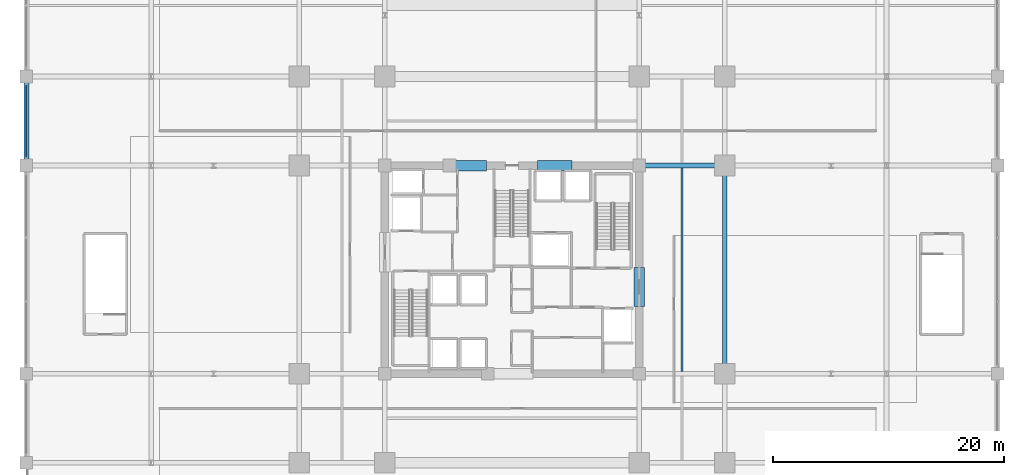
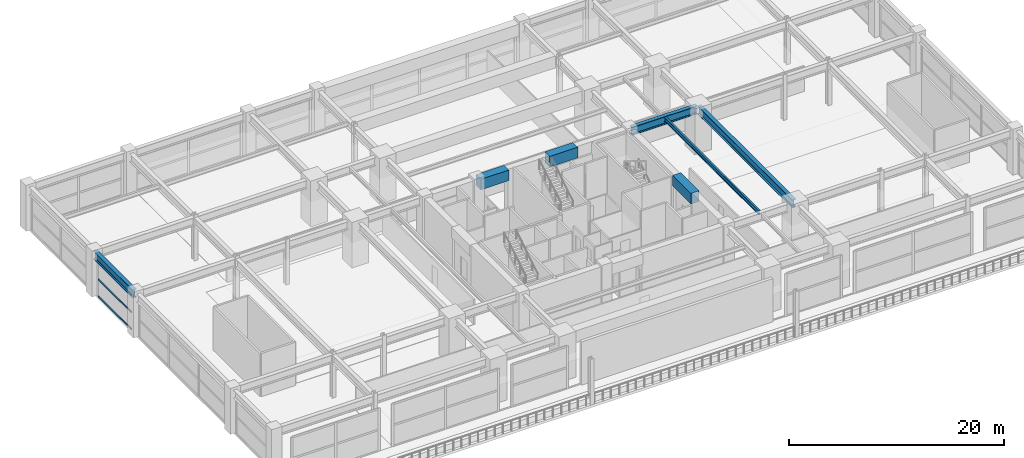
# One storey, part 10 of 35: 7 beams, 3 members, 1 element without a shape of its own.
"""IFC4 building model written with IfcOpenShell, lengths in metres."""

import ifcopenshell
import ifcopenshell.guid

model = None  # the IFC model being written
_history = None  # IfcOwnerHistory: only IFC2X3 demands one
_inside = {}  # id of a spatial element -> (the spatial element, [elements in it])
_under = {}  # id of a project, library or spatial element -> (it, [spatial elements below it])
_declared = {}  # id of a project -> (the project, [libraries it declares])
_typed = {}  # id of a type object -> (the type object, [elements of that type])
_made_of = {}  # id of a material, layer set ... -> (it, [elements and type objects made of it])


def new_model(schema):
    """Start an empty IFC model of exactly this schema.

    Asked for "IFC4X3", IfcOpenShell would pick the latest addendum, in which some entities
    have other attributes; the version numbers below select the first issue.
    IFC2X3 requires an IfcOwnerHistory on every rooted entity: one is made here for all.
    """
    global model, _history
    if schema == "IFC4X3":
        model = ifcopenshell.file(schema_version=(4, 3, 0, 0))
    else:
        model = ifcopenshell.file(schema=schema)
    _inside.clear()
    _under.clear()
    _declared.clear()
    _typed.clear()
    _made_of.clear()
    _history = None
    if model.schema == "IFC2X3":
        org = make("IfcOrganization", Name="unknown")
        user = make(
            "IfcPersonAndOrganization",
            ThePerson=make("IfcPerson", FamilyName="unknown"),
            TheOrganization=org,
        )
        app = make(
            "IfcApplication",
            ApplicationDeveloper=org,
            Version="unknown",
            ApplicationFullName="unknown",
            ApplicationIdentifier="unknown",
        )
        _history = make(
            "IfcOwnerHistory",
            OwningUser=user,
            OwningApplication=app,
            ChangeAction="ADDED",
            CreationDate=0,
        )
    return model


def make(cls, **values):
    """One entity of the class cls with the attributes given. An attribute that is None is left unset."""
    return model.create_entity(
        cls, **{name: value for name, value in values.items() if value is not None}
    )


def rooted(cls, **values):
    """An entity with a GlobalId (a new one), such as an element, a storey or a relation."""
    return make(cls, GlobalId=ifcopenshell.guid.new(), OwnerHistory=_history, **values)


def si_unit(unit_type, name, prefix=None):
    """IfcSIUnit, for example si_unit("LENGTHUNIT", "METRE", prefix="MILLI")."""
    return make("IfcSIUnit", UnitType=unit_type, Prefix=prefix, Name=name)


def assignment(units):
    """IfcUnitAssignment: the units of a project."""
    return None if units is None else make("IfcUnitAssignment", Units=units)


def point(xyz):
    """IfcCartesianPoint."""
    return None if xyz is None else make("IfcCartesianPoint", Coordinates=xyz)


def direction(xyz):
    """IfcDirection."""
    return None if xyz is None else make("IfcDirection", DirectionRatios=xyz)


def frame(location, z_axis=None, x_axis=None):
    """IfcAxis2Placement3D, a coordinate frame: its origin and axes. An axis left out is left unset."""
    return make(
        "IfcAxis2Placement3D",
        Location=point(location),
        Axis=direction(z_axis),
        RefDirection=direction(x_axis),
    )


def frame_2d(location, x_axis=None):
    """IfcAxis2Placement2D, a coordinate frame in the plane: its origin and x axis."""
    return make(
        "IfcAxis2Placement2D", Location=point(location), RefDirection=direction(x_axis)
    )


def origin():
    """The frame at (0, 0, 0) with its axes left unset."""
    return frame((0.0, 0.0, 0.0))


def origin_2d():
    """The frame at (0, 0) in the plane with its x axis left unset."""
    return frame_2d((0.0, 0.0))


def place(relative_to, where):
    """IfcLocalPlacement: puts the frame where relative to a parent placement (None: the world)."""
    return make(
        "IfcLocalPlacement", PlacementRelTo=relative_to, RelativePlacement=where
    )


def context(
    kind, dimensions, precision=None, world=None, true_north=None, identifier=None
):
    """IfcGeometricRepresentationContext, for example the 3D "Model" context."""
    return make(
        "IfcGeometricRepresentationContext",
        ContextIdentifier=identifier,
        ContextType=kind,
        CoordinateSpaceDimension=dimensions,
        Precision=precision,
        WorldCoordinateSystem=world,
        TrueNorth=true_north,
    )


def subcontext(parent, identifier, kind, view, scale=None):
    """IfcGeometricRepresentationSubContext, for example "Body" below "Model"."""
    return make(
        "IfcGeometricRepresentationSubContext",
        ContextIdentifier=identifier,
        ContextType=kind,
        ParentContext=parent,
        TargetScale=scale,
        TargetView=view,
    )


def project(units=None, contexts=None):
    """IfcProject with its units and contexts."""
    return rooted(
        "IfcProject",
        Name="project",
        RepresentationContexts=contexts,
        UnitsInContext=assignment(units),
    )


def spatial(cls, under=None, at=None, **own):
    """A site, building, storey or space (cls), placed at a placement, below another one or the project."""
    s = rooted(cls, ObjectPlacement=at, **own)
    if under is not None:
        _under.setdefault(under.id(), (under, []))[1].append(s)
    return s


def profile(cls, at=None, kind="AREA", **sizes):
    """A parametric profile (cls). Its sizes go by their IFC names, for example OverallWidth=200.0."""
    return make(cls, ProfileType=kind, Position=at, **sizes)


def rectangle(**sizes):
    """IfcRectangleProfileDef."""
    return profile("IfcRectangleProfileDef", **sizes)


def hollow_rectangle(**sizes):
    """IfcRectangleHollowProfileDef."""
    return profile("IfcRectangleHollowProfileDef", **sizes)


def i_section(**sizes):
    """IfcIShapeProfileDef."""
    return profile("IfcIShapeProfileDef", **sizes)


def extrude(swept, where, along, depth):
    """IfcExtrudedAreaSolid: the profile swept, set in the frame where, extruded along a direction by depth."""
    return make(
        "IfcExtrudedAreaSolid",
        SweptArea=swept,
        Position=where,
        ExtrudedDirection=direction(along),
        Depth=depth,
    )


def shape(context_of_items, identifier, shape_type, items):
    """IfcShapeRepresentation: the items that make up one representation, for example the "Body"."""
    return make(
        "IfcShapeRepresentation",
        ContextOfItems=context_of_items,
        RepresentationIdentifier=identifier,
        RepresentationType=shape_type,
        Items=items,
    )


def material(Name=None, Category=None):
    """IfcMaterial."""
    return make("IfcMaterial", Name=Name, Category=Category)


def material_profile(
    of_material, cross_section, Name=None, Category=None, Priority=None
):
    """IfcMaterialProfile: a cross section and its material."""
    return make(
        "IfcMaterialProfile",
        Name=Name,
        Material=of_material,
        Profile=cross_section,
        Priority=Priority,
        Category=Category,
    )


def profile_set(profiles, Name=None, composite=None):
    """IfcMaterialProfileSet."""
    return make(
        "IfcMaterialProfileSet",
        Name=Name,
        MaterialProfiles=profiles,
        CompositeProfile=composite,
    )


def made_of(thing, what):
    """Note that an element or type object is made of a material, layer set ...; save() writes the relation."""
    if what is not None:
        _made_of.setdefault(what.id(), (what, []))[1].append(thing)
    return thing


def type_object(cls, material=None, **own):
    """A type object (cls), such as IfcWallType, which elements share."""
    return made_of(rooted(cls, **own), material)


def element(
    cls,
    number,
    at=None,
    inside=None,
    cuts=None,
    type_object=None,
    material=None,
    context=None,
    identifier="Body",
    shape_type=None,
    held_by="IfcProductDefinitionShape",
    body=None,
    shapes=None,
    **own,
):
    """One element of the class cls, such as IfcWall. Its Tag is "e" and its number.

    at: its placement. inside: the storey or other place that contains it. cuts: it is an
    opening in that element (IfcRelVoidsElement). A single representation is given by context,
    identifier, shape_type and body (its items); several are given by shapes. held_by: the class
    of the entity that holds the representations. save() writes the other relations.
    """
    e = rooted(cls, Tag="e%d" % number, ObjectPlacement=at, **own)
    if body is not None:
        shapes = [shape(context, identifier, shape_type, body)]
    if shapes is not None:
        e.Representation = make(held_by, Representations=shapes)
    if inside is not None:
        _inside.setdefault(inside.id(), (inside, []))[1].append(e)
    if cuts is not None:
        rooted(
            "IfcRelVoidsElement", RelatingBuildingElement=cuts, RelatedOpeningElement=e
        )
    if type_object is not None:
        _typed.setdefault(type_object.id(), (type_object, []))[1].append(e)
    return made_of(e, material)


def aggregate(whole, parts):
    """IfcRelAggregates: a whole, such as a stair, and the parts it consists of."""
    return rooted("IfcRelAggregates", RelatingObject=whole, RelatedObjects=parts)


def save(model, path):
    """Write the relations noted so far, then the file.

    IfcRelAggregates (storeys below a building ...), IfcRelContainedInSpatialStructure (elements
    in a storey), IfcRelDefinesByType, IfcRelAssociatesMaterial and IfcRelDeclares: one each for
    every whole, place, type object, material and project.
    """
    for whole, parts in _under.values():
        aggregate(whole, parts)
    for where, things in _inside.values():
        rooted(
            "IfcRelContainedInSpatialStructure",
            RelatedElements=things,
            RelatingStructure=where,
        )
    for kind, things in _typed.values():
        rooted("IfcRelDefinesByType", RelatedObjects=things, RelatingType=kind)
    for what, things in _made_of.values():
        rooted("IfcRelAssociatesMaterial", RelatedObjects=things, RelatingMaterial=what)
    for by, libraries in _declared.values():
        rooted("IfcRelDeclares", RelatingContext=by, RelatedDefinitions=libraries)
    model.write(path)


model = new_model("IFC4")

# Units and contexts
model_context = context("Model", 3, precision=1e-05, world=origin(), true_north=direction((0.0, 1.0)))
body_context = subcontext(model_context, "Body", "Model", "MODEL_VIEW")
ifc_project = project(units=[si_unit("LENGTHUNIT", "METRE"), si_unit("AREAUNIT", "SQUARE_METRE"), si_unit("VOLUMEUNIT", "CUBIC_METRE"), si_unit("PLANEANGLEUNIT", "RADIAN"), si_unit("MASSUNIT", "GRAM", prefix="KILO")], contexts=[model_context])

# Site, building, storey
site_placement = place(None, origin())
site = spatial("IfcSite", under=ifc_project, at=site_placement, CompositionType="ELEMENT")
building_placement = place(site_placement, origin())
building = spatial("IfcBuilding", under=site, at=building_placement, Name="Kovane Verandah Tower", CompositionType="ELEMENT")
storey_placement = place(building_placement, frame((0.0, 0.0, 16.39990234375)))
storey = spatial("IfcBuildingStorey", under=building, at=storey_placement, Name="L03", CompositionType="ELEMENT", Elevation=16.39990234375)

# Beams
ifc_material_1 = material(Name="Concrete C80/95", Category="concrete")
ifc_material_profile_1 = material_profile(ifc_material_1, rectangle(XDim=0.89990234375, YDim=1.199951171875, at=origin_2d()), Name="RCB900x1200")
ifc_profile_set_1 = profile_set([ifc_material_profile_1], Name="Concrete C80/95")
beam_type_1 = type_object("IfcBeamType", Name="BM-LINTEL-900x1200", PredefinedType="LINTEL", material=ifc_profile_set_1)
for number, where, z_axis, x_axis, name in (
    (1, (34.800048828125, 36.5, 4.300048828125), (1.0, 0.0, 0.0), (0.0, 1.0, 0.0), "L03 Core Coupling Lintel CL-N1"),
    (2, (42.199951171875, 36.5, 4.300048828125), (1.0, 0.0, 0.0), (0.0, 1.0, 0.0), "L03 Core Coupling Lintel CL-N2"),
):
    element("IfcBeam", number, at=place(storey_placement, frame(where, z_axis=z_axis, x_axis=x_axis)), inside=storey, type_object=beam_type_1, Name=name, PredefinedType="LINTEL", context=body_context, shape_type="SweptSolid", body=[
        extrude(rectangle(XDim=0.89990234375, YDim=1.199951171875, at=origin_2d()), origin(), (0.0, 0.0, 1.0), 3.0),
    ])
beam_1_placement = place(storey_placement, frame((51.0, 24.300048828125, 4.300048828125), z_axis=(0.0, 1.0, 0.0), x_axis=(-1.0, 0.0, 0.0)))
element("IfcBeam", 3, at=beam_1_placement, inside=storey, type_object=beam_type_1, Name="L03 Core Coupling Lintel CL-E", PredefinedType="LINTEL", context=body_context, shape_type="SweptSolid", body=[
    extrude(rectangle(XDim=0.89990234375, YDim=1.199951171875, at=origin_2d()), origin(), (0.0, 0.0, 1.0), 3.39990234375),
])
ifc_material_2 = material(Name="Steel S460", Category="steel")
ifc_material_profile_2 = material_profile(ifc_material_2, i_section(OverallWidth=0.42041015625, OverallDepth=0.9208984375, WebThickness=0.021484375, FlangeThickness=0.03662109375, FilletRadius=0.024169921875, at=origin_2d()), Name="UB914x419x388")
ifc_profile_set_2 = profile_set([ifc_material_profile_2], Name="Steel S460")
beam_type_2 = type_object("IfcBeamType", Name="BM-UB914x388", PredefinedType="BEAM", material=ifc_profile_set_2)
beam_2_placement = place(storey_placement, frame((58.39990234375, 18.679931640625, 4.439697265625), z_axis=(0.0, 1.0, 0.0), x_axis=(-1.0, 0.0, 0.0)))
element("IfcBeam", 4, at=beam_2_placement, inside=storey, type_object=beam_type_2, Name="L03 Primary Tower Girder G-RE2", PredefinedType="BEAM", context=body_context, shape_type="SweptSolid", body=[
    extrude(i_section(OverallWidth=0.42041015625, OverallDepth=0.9208984375, WebThickness=0.021484375, FlangeThickness=0.03662109375, FilletRadius=0.024169921875, at=origin_2d()), origin(), (0.0, 0.0, 1.0), 17.64013671875),
])
beam_3_placement = place(storey_placement, frame((51.179931640625, 36.5, 4.439697265625), z_axis=(1.0, 0.0, 0.0), x_axis=(0.0, 1.0, 0.0)))
element("IfcBeam", 5, at=beam_3_placement, inside=storey, type_object=beam_type_2, Name="L03 Primary Tower Girder G-E2", PredefinedType="BEAM", context=body_context, shape_type="SweptSolid", body=[
    extrude(i_section(OverallWidth=0.42041015625, OverallDepth=0.9208984375, WebThickness=0.021484375, FlangeThickness=0.03662109375, FilletRadius=0.024169921875, at=origin_2d()), origin(), (0.0, 0.0, 1.0), 7.0400390625),
])
beam_4_placement = place(storey_placement, frame((-2.0, 36.679931640625, 4.439697265625), z_axis=(0.0, 1.0, 0.0), x_axis=(-1.0, 0.0, 0.0)))
element("IfcBeam", 6, at=beam_4_placement, inside=storey, type_object=beam_type_2, Name="L03 Podium Garden Transfer Girder Y26", PredefinedType="BEAM", context=body_context, shape_type="SweptSolid", body=[
    extrude(i_section(OverallWidth=0.42041015625, OverallDepth=0.9208984375, WebThickness=0.021484375, FlangeThickness=0.03662109375, FilletRadius=0.024169921875, at=origin_2d()), origin(), (0.0, 0.0, 1.0), 7.340087890625),
])

# Curtain wall, members
ifc_material_3 = material(Name="Champagne Anodised Aluminium Frame with Low-E Clear Laminated Glass", Category="aluminium")
curtain_wall_type = type_object("IfcCurtainWallType", Name="CW-SYS-01-POD", PredefinedType="NOTDEFINED", material=ifc_material_3)
curtain_wall_placement = place(storey_placement, origin())
curtain_wall = element("IfcCurtainWall", 7, at=curtain_wall_placement, inside=storey, type_object=curtain_wall_type, Name="L03 West Podium Curtain Wall Bay 4", PredefinedType="NOTDEFINED")
ifc_material_4 = material(Name="Champagne Anodised Aluminium 6063-T6", Category="aluminium")
ifc_material_profile_3 = material_profile(ifc_material_4, hollow_rectangle(XDim=0.0849609375, YDim=0.18994140625, WallThickness=0.00390625, at=origin_2d()), Name="AL85x190x4")
ifc_profile_set_3 = profile_set([ifc_material_profile_3], Name="Champagne Anodised Aluminium 6063-T6")
member_type = type_object("IfcMemberType", Name="CW-TRN-85x190", PredefinedType="USERDEFINED", material=ifc_profile_set_3)
member_1_placement = place(storey_placement, frame((-2.0, 43.429931640625, 0.050048828125), z_axis=(0.0, -1.0, 0.0), x_axis=(1.0, 0.0, 0.0)))
member_1 = element("IfcMember", 8, at=member_1_placement, type_object=member_type, Name="L03 West Podium Curtain Wall Bay 4 Transom TB Bay 1", ObjectType="TRANSOM", PredefinedType="USERDEFINED", context=body_context, shape_type="SweptSolid", body=[
    extrude(hollow_rectangle(XDim=0.0849609375, YDim=0.18994140625, WallThickness=0.00390625, at=origin_2d()), origin(), (0.0, 0.0, 1.0), 6.159912109375),
])
member_2_placement = place(storey_placement, frame((-2.0, 43.429931640625, 1.9794921875), z_axis=(0.0, -1.0, 0.0), x_axis=(1.0, 0.0, 0.0)))
member_2 = element("IfcMember", 9, at=member_2_placement, type_object=member_type, Name="L03 West Podium Curtain Wall Bay 4 Transom TM Bay 1", ObjectType="TRANSOM", PredefinedType="USERDEFINED", context=body_context, shape_type="SweptSolid", body=[
    extrude(hollow_rectangle(XDim=0.0849609375, YDim=0.18994140625, WallThickness=0.00390625, at=origin_2d()), origin(), (0.0, 0.0, 1.0), 6.159912109375),
])
member_3_placement = place(storey_placement, frame((-2.0, 43.429931640625, 3.9091796875), z_axis=(0.0, -1.0, 0.0), x_axis=(1.0, 0.0, 0.0)))
member_3 = element("IfcMember", 10, at=member_3_placement, type_object=member_type, Name="L03 West Podium Curtain Wall Bay 4 Transom TT Bay 1", ObjectType="TRANSOM", PredefinedType="USERDEFINED", context=body_context, shape_type="SweptSolid", body=[
    extrude(hollow_rectangle(XDim=0.0849609375, YDim=0.18994140625, WallThickness=0.00390625, at=origin_2d()), origin(), (0.0, 0.0, 1.0), 6.159912109375),
])
aggregate(curtain_wall, [member_1, member_2, member_3])

# Beam
ifc_material_5 = material(Name="Steel S355", Category="steel")
ifc_material_profile_4 = material_profile(ifc_material_5, i_section(OverallWidth=0.19287109375, OverallDepth=0.46728515625, WebThickness=0.011474609375, FlangeThickness=0.01953125, FilletRadius=0.01025390625, at=origin_2d()), Name="UB457x191x98")
ifc_profile_set_4 = profile_set([ifc_material_profile_4], Name="Steel S355")
beam_type_3 = type_object("IfcBeamType", Name="JST-UB457x98", PredefinedType="JOIST", material=ifc_profile_set_4)
beam_5_placement = place(storey_placement, frame((54.699951171875, 18.708251953125, 4.66650390625), z_axis=(0.0, 1.0, 0.0), x_axis=(-1.0, 0.0, 0.0)))
element("IfcBeam", 11, at=beam_5_placement, inside=storey, type_object=beam_type_3, Name="L03 Secondary Composite Joist J-E1", PredefinedType="JOIST", context=body_context, shape_type="SweptSolid", body=[
    extrude(i_section(OverallWidth=0.19287109375, OverallDepth=0.46728515625, WebThickness=0.011474609375, FlangeThickness=0.01953125, FilletRadius=0.01025390625, at=origin_2d()), origin(), (0.0, 0.0, 1.0), 17.58349609375),
])

save(model, "model.ifc")
